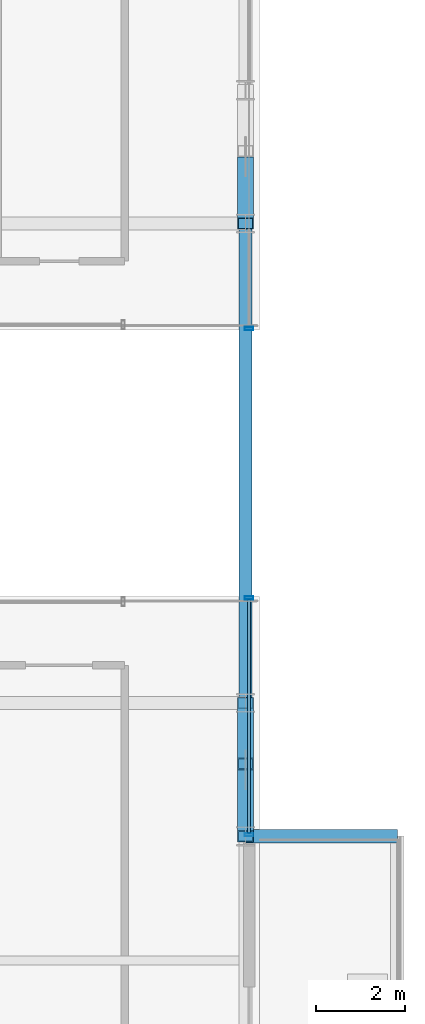
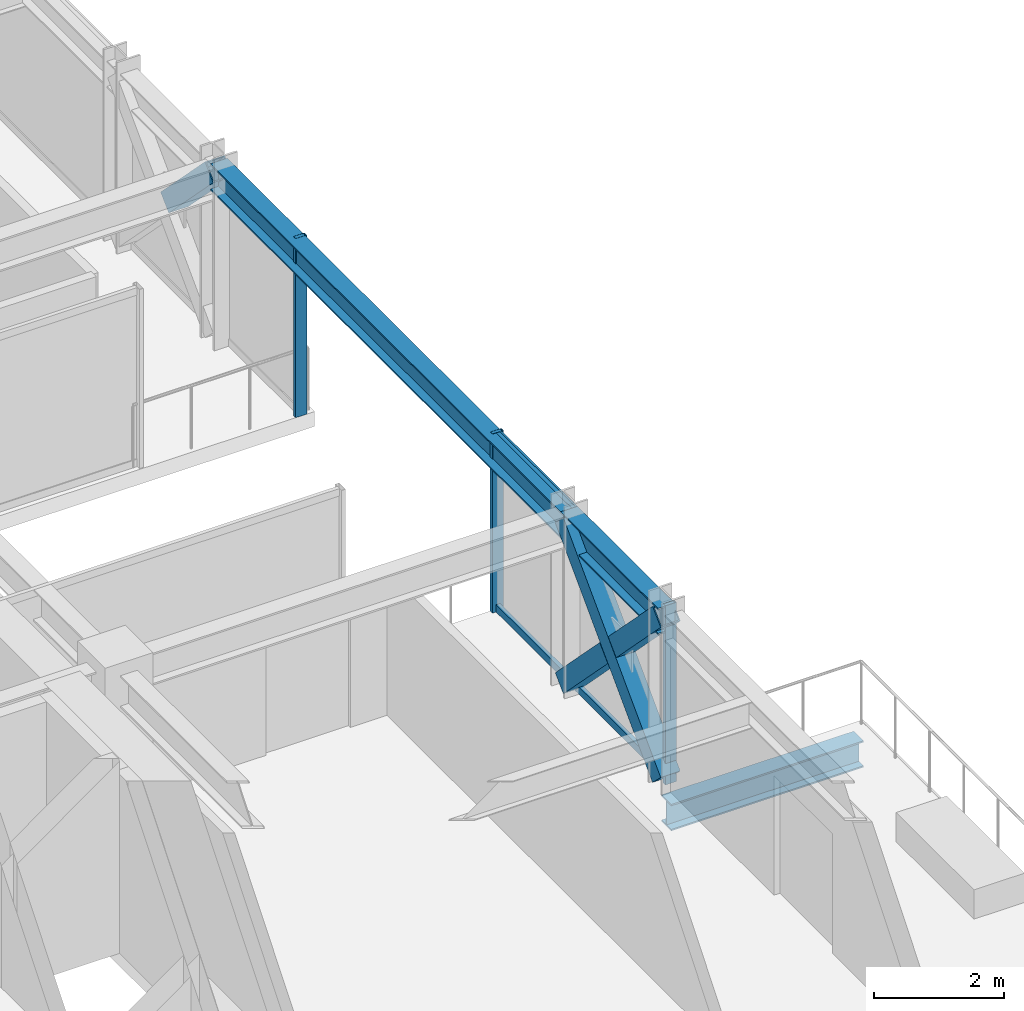
# One storey, part 23 of 47: 9 members, 3 beams, 2 elements without a shape of their own.
"""IFC4 building model written with IfcOpenShell, lengths in metres."""

from ifc_helpers import new_model, si_unit, direction, frame, origin, origin_2d, place, context, subcontext, project, spatial, hollow_rectangle, i_section, extrude, source, transform, mapped, material, material_profile, profile_set, type_object, element, aggregate, save


model = new_model("IFC4")

# Units and contexts
model_context = context("Model", 3, precision=1e-05, world=origin(), true_north=direction((0.0, 1.0)))
body_context = subcontext(model_context, "Body", "Model", "MODEL_VIEW")
ifc_project = project(units=[si_unit("LENGTHUNIT", "METRE"), si_unit("AREAUNIT", "SQUARE_METRE"), si_unit("VOLUMEUNIT", "CUBIC_METRE"), si_unit("PLANEANGLEUNIT", "RADIAN"), si_unit("MASSUNIT", "GRAM", prefix="KILO")], contexts=[model_context])

# Site, building, storey
site_placement = place(None, origin())
site = spatial("IfcSite", under=ifc_project, at=site_placement, CompositionType="ELEMENT")
building_placement = place(site_placement, origin())
building = spatial("IfcBuilding", under=site, at=building_placement, Name="Nahalor Promenade Grand Hotel", CompositionType="ELEMENT")
storey_placement = place(building_placement, frame((0.0, 0.0, 68.89990234375)))
storey = spatial("IfcBuildingStorey", under=building, at=storey_placement, Name="L16", CompositionType="ELEMENT", Elevation=68.89990234375)

# Beams
ifc_material_1 = material(Name="Steel S355JR", Category="steel")
ifc_material_profile_1 = material_profile(ifc_material_1, i_section(OverallWidth=0.3, OverallDepth=0.5, WebThickness=0.0145, FlangeThickness=0.028, at=origin_2d()), Name="HEB 500")
ifc_profile_set_1 = profile_set([ifc_material_profile_1], Name="Steel S355JR")
beam_type_1 = type_object("IfcBeamType", Name="Beam-Outrigger-HEB500", PredefinedType="BEAM", material=ifc_profile_set_1)
shared_shape_1 = source(origin(), body_context, "Body", "SweptSolid", [
    extrude(i_section(OverallWidth=0.3, OverallDepth=0.5, WebThickness=0.0145, FlangeThickness=0.028, at=origin_2d()), origin(), (0.0, 0.0, 1.0), 3.419921875),
])
beam_1_placement = place(storey_placement, frame((25.080078125, -8.39990234375, -0.52978515625), z_axis=(1.0, 0.0, 0.0), x_axis=(0.0, 1.0, 0.0)))
element("IfcBeam", 1, at=beam_1_placement, inside=storey, type_object=beam_type_1, Name="BM-L16-BC-02-2", PredefinedType="BEAM", context=body_context, shape_type="MappedRepresentation", body=[
    mapped(shared_shape_1, transform((0.0, 0.0, 0.0), scale=1.0)),
])
ifc_material_profile_2 = material_profile(ifc_material_1, i_section(OverallWidth=0.3, OverallDepth=0.5, WebThickness=0.0145, FlangeThickness=0.028, at=origin_2d()), Name="HEB 500")
ifc_profile_set_2 = profile_set([ifc_material_profile_2], Name="Steel S355JR")
beam_type_2 = type_object("IfcBeamType", Name="Beam-Spandrel-HEB500", PredefinedType="SPANDREL", material=ifc_profile_set_2)
shared_shape_2 = source(origin(), body_context, "Body", "SweptSolid", [
    extrude(i_section(OverallWidth=0.3, OverallDepth=0.5, WebThickness=0.0145, FlangeThickness=0.028, at=origin_2d()), origin(), (0.0, 0.0, 1.0), 3.0),
])
beam_2_placement = place(storey_placement, frame((25.080078125, -8.39990234375, 3.1201171875), z_axis=(0.0, 1.0, 0.0), x_axis=(-1.0, 0.0, 0.0)))
element("IfcBeam", 2, at=beam_2_placement, inside=storey, type_object=beam_type_2, Name="BM-L16-SP-E-1", PredefinedType="SPANDREL", context=body_context, shape_type="MappedRepresentation", body=[
    mapped(shared_shape_2, transform((0.0, 0.0, 0.0), scale=1.0)),
])
shared_shape_3 = source(origin(), body_context, "Body", "SweptSolid", [
    extrude(i_section(OverallWidth=0.3, OverallDepth=0.5, WebThickness=0.0145, FlangeThickness=0.028, at=origin_2d()), origin(), (0.0, 0.0, 1.0), 10.7998046875),
])
beam_3_placement = place(storey_placement, frame((25.080078125, -5.39990234375, 3.1201171875), z_axis=(0.0, 1.0, 0.0), x_axis=(-1.0, 0.0, 0.0)))
element("IfcBeam", 3, at=beam_3_placement, inside=storey, type_object=beam_type_2, Name="BM-L16-SP-E-2", PredefinedType="SPANDREL", context=body_context, shape_type="MappedRepresentation", body=[
    mapped(shared_shape_3, transform((0.0, 0.0, 0.0), scale=1.0)),
])

# Members
ifc_material_profile_3 = material_profile(ifc_material_1, hollow_rectangle(XDim=0.35, YDim=0.35, WallThickness=0.02, at=origin_2d()), Name="SHS 350x350x20")
ifc_profile_set_3 = profile_set([ifc_material_profile_3], Name="Steel S355JR")
member_type_1 = type_object("IfcMemberType", Name="Mem-VoidBrace-SHS350", PredefinedType="BRACE", material=ifc_profile_set_3)
shared_shape_4 = source(origin(), body_context, "Body", "SweptSolid", [
    extrude(hollow_rectangle(XDim=0.35, YDim=0.35, WallThickness=0.02, at=origin_2d()), origin(), (0.0, 0.0, 1.0), 4.29248046875),
])
member_1_placement = place(storey_placement, frame((25.080078125, -8.39990234375, 0.150146484375), z_axis=(0.0, 0.698897904453, 0.715221447631), x_axis=(-1.0, 0.0, 0.0)))
element("IfcMember", 4, at=member_1_placement, inside=storey, type_object=member_type_1, Name="EXO-L16-VX1-E0", PredefinedType="BRACE", context=body_context, shape_type="MappedRepresentation", body=[
    mapped(shared_shape_4, transform((0.0, 0.0, 0.0), scale=1.0)),
])
shared_shape_5 = source(origin(), body_context, "Body", "SweptSolid", [
    extrude(hollow_rectangle(XDim=0.35, YDim=0.35, WallThickness=0.02, at=origin_2d()), origin(), (0.0, 0.0, 1.0), 1.959228515625),
])
for number, where, z_axis, x_axis, name in (
    (5, (25.080078125, -5.39990234375, 0.150146484375), (0.0, -0.698960471031, 0.715160303663), (1.0, 0.0, 0.0), "EXO-L16-VX2-E0A"),
    (6, (25.080078125, -7.03076171875, 1.81884765625), (0.0, -0.698834435327, 0.715283462692), (1.0, 0.0, 0.0), "EXO-L16-VX2-E0B"),
    (7, (25.080078125, 6.769287109375, 1.81884765625), (0.0, -0.698898183234, 0.715221175212), (1.0, 0.0, 0.0), "EXO-L16-VX2-E1B"),
):
    element("IfcMember", number, at=place(storey_placement, frame(where, z_axis=z_axis, x_axis=x_axis)), inside=storey, type_object=member_type_1, Name=name, PredefinedType="BRACE", context=body_context, shape_type="MappedRepresentation", body=[
        mapped(shared_shape_5, transform((0.0, 0.0, 0.0), scale=1.0)),
    ])

# Curtain wall, members
ifc_material_2 = material(Name="Anodised Bronze Aluminium EN AW-6063 T6", Category="aluminium")
curtain_wall_type = type_object("IfcCurtainWallType", Name="CW3 Elliptical-Void Collar Unitised Curtain Wall", PredefinedType="USERDEFINED", material=ifc_material_2)
curtain_wall_1_placement = place(storey_placement, origin())
curtain_wall_1 = element("IfcCurtainWall", 8, at=curtain_wall_1_placement, inside=storey, type_object=curtain_wall_type, Name="L16 Curtain Wall CW-L16-E-3", ObjectType="UNITISED_CURTAIN_WALL", PredefinedType="USERDEFINED")
ifc_material_profile_4 = material_profile(ifc_material_2, hollow_rectangle(XDim=0.07, YDim=0.14, WallThickness=0.004, at=origin_2d()), Name="CWT 70x140x4")
ifc_profile_set_4 = profile_set([ifc_material_profile_4], Name="Anodised Bronze Aluminium EN AW-6063 T6")
member_type_2 = type_object("IfcMemberType", Name="CWT3 Void Collar Transom 70x140", PredefinedType="USERDEFINED", material=ifc_profile_set_4)
shared_shape_6 = source(origin(), body_context, "Body", "SweptSolid", [
    extrude(hollow_rectangle(XDim=0.07, YDim=0.14, WallThickness=0.004, at=origin_2d()), origin(), (0.0, 0.0, 1.0), 5.260986328125),
])
member_2_placement = place(storey_placement, frame((25.159912109375, -8.330078125, 0.070068359375), z_axis=(0.0, 1.0, 0.0), x_axis=(-1.0, 0.0, 0.0)))
member_2 = element("IfcMember", 9, at=member_2_placement, type_object=member_type_2, Name="CW-L16-E-3 Transom 0-0", ObjectType="TRANSOM", PredefinedType="USERDEFINED", context=body_context, shape_type="MappedRepresentation", body=[
    mapped(shared_shape_6, transform((0.0, 0.0, 0.0), scale=1.0)),
])
member_3_placement = place(storey_placement, frame((25.159912109375, -8.330078125, 3.300048828125), z_axis=(0.0, 1.0, 0.0), x_axis=(-1.0, 0.0, 0.0)))
member_3 = element("IfcMember", 10, at=member_3_placement, type_object=member_type_2, Name="CW-L16-E-3 Transom 0-1", ObjectType="TRANSOM", PredefinedType="USERDEFINED", context=body_context, shape_type="MappedRepresentation", body=[
    mapped(shared_shape_6, transform((0.0, 0.0, 0.0), scale=1.0)),
])
ifc_material_profile_5 = material_profile(ifc_material_2, hollow_rectangle(XDim=0.07, YDim=0.2, WallThickness=0.005, at=origin_2d()), Name="CWM 70x200x5")
ifc_profile_set_5 = profile_set([ifc_material_profile_5], Name="Anodised Bronze Aluminium EN AW-6063 T6")
member_type_3 = type_object("IfcMemberType", Name="CWM3 Void Collar Mullion 70x200", PredefinedType="MULLION", material=ifc_profile_set_5)
shared_shape_7 = source(origin(), body_context, "Body", "SweptSolid", [
    extrude(hollow_rectangle(XDim=0.07, YDim=0.2, WallThickness=0.005, at=origin_2d()), origin(), (0.0, 0.0, 1.0), 3.3701171875),
])
member_4_placement = place(storey_placement, frame((25.159912109375, -8.364990234375, 0.0), z_axis=(0.0, 0.0, 1.0), x_axis=(0.0, 1.0, 0.0)))
member_4 = element("IfcMember", 11, at=member_4_placement, type_object=member_type_3, Name="CW-L16-E-3 Mullion 0", PredefinedType="MULLION", context=body_context, shape_type="MappedRepresentation", body=[
    mapped(shared_shape_7, transform((0.0, 0.0, 0.0), scale=1.0)),
])
member_5_placement = place(storey_placement, frame((25.159912109375, -3.033935546875, 0.0), z_axis=(0.0, 0.0, 1.0), x_axis=(0.0, 1.0, 0.0)))
member_5 = element("IfcMember", 12, at=member_5_placement, type_object=member_type_3, Name="CW-L16-E-3 Mullion 1", PredefinedType="MULLION", context=body_context, shape_type="MappedRepresentation", body=[
    mapped(shared_shape_7, transform((0.0, 0.0, 0.0), scale=1.0)),
])
aggregate(curtain_wall_1, [member_4, member_5, member_2, member_3])

# Curtain wall, member
curtain_wall_2_placement = place(storey_placement, origin())
curtain_wall_2 = element("IfcCurtainWall", 13, at=curtain_wall_2_placement, inside=storey, type_object=curtain_wall_type, Name="L16 Curtain Wall CW-L16-E-4", ObjectType="UNITISED_CURTAIN_WALL", PredefinedType="USERDEFINED")
member_6_placement = place(storey_placement, frame((25.159912109375, 3.033935546875, 0.0), z_axis=(0.0, 0.0, 1.0), x_axis=(0.0, 1.0, 0.0)))
member_6 = element("IfcMember", 14, at=member_6_placement, type_object=member_type_3, Name="CW-L16-E-4 Mullion 0", PredefinedType="MULLION", context=body_context, shape_type="MappedRepresentation", body=[
    mapped(shared_shape_7, transform((0.0, 0.0, 0.0), scale=1.0)),
])
aggregate(curtain_wall_2, [member_6])

save(model, "model.ifc")
